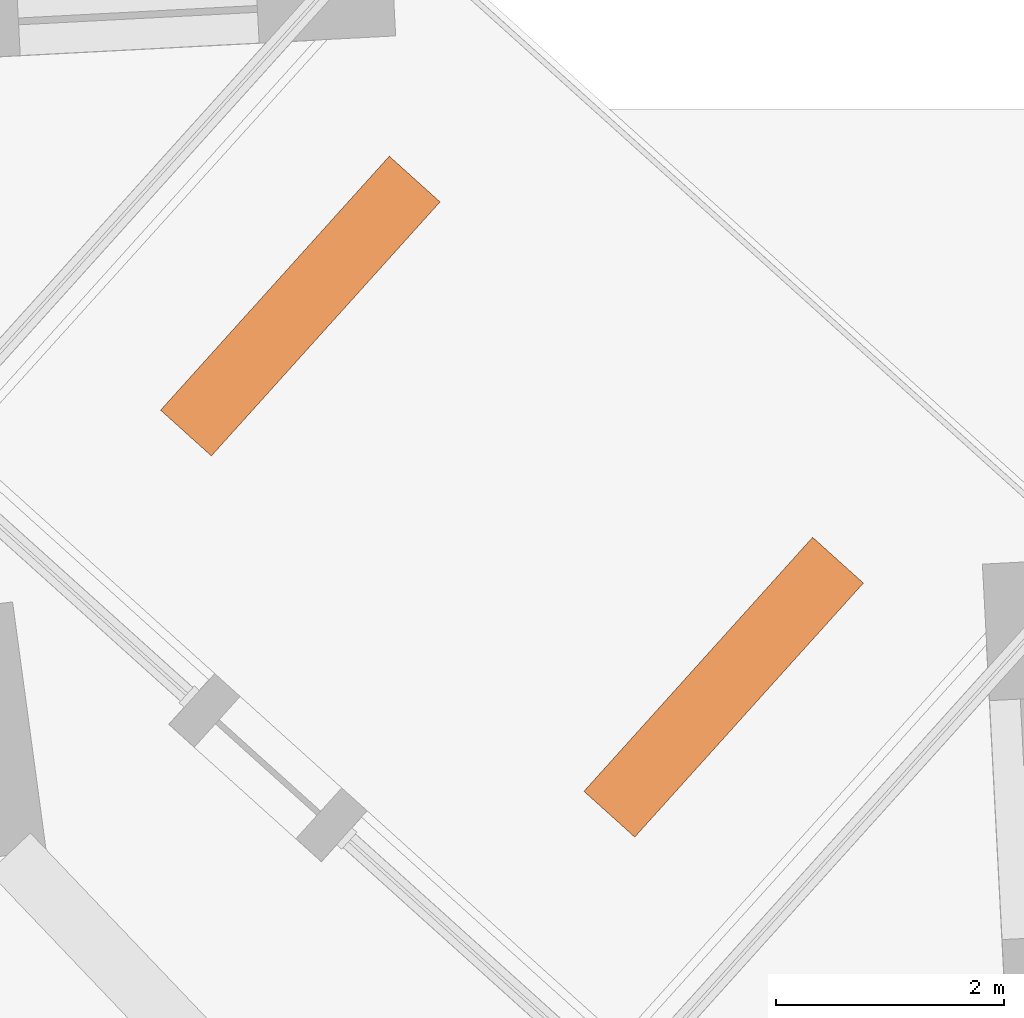
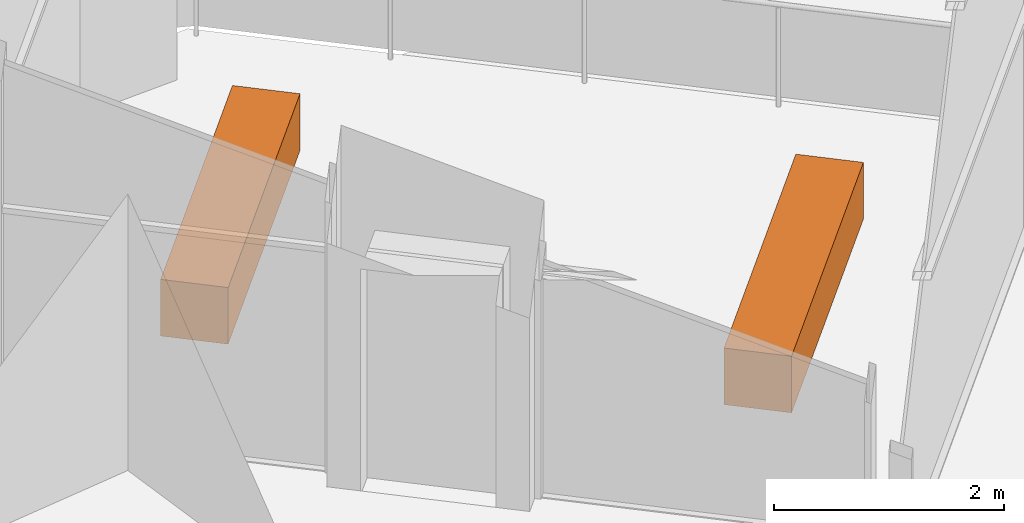
# One storey, part 10 of 10: 2 proxies.
"""IFC4 building model written with IfcOpenShell, lengths in metres."""

from ifc_helpers import new_model, si_unit, direction, frame, origin, origin_2d, place, context, subcontext, project, spatial, rectangle, extrude, element, save


model = new_model("IFC4")

# Units and contexts
model_context = context("Model", 3, precision=1e-05, world=origin(), true_north=direction((0.0, 1.0)))
body_context = subcontext(model_context, "Body", "Model", "MODEL_VIEW")
ifc_project = project(units=[si_unit("LENGTHUNIT", "METRE"), si_unit("AREAUNIT", "SQUARE_METRE"), si_unit("VOLUMEUNIT", "CUBIC_METRE"), si_unit("PLANEANGLEUNIT", "RADIAN"), si_unit("MASSUNIT", "GRAM", prefix="KILO")], contexts=[model_context])

# Site, building, storey
site_placement = place(None, origin())
site = spatial("IfcSite", under=ifc_project, at=site_placement, CompositionType="ELEMENT")
building_placement = place(site_placement, origin())
building = spatial("IfcBuilding", under=site, at=building_placement, Name="Dilmun Exchange Tower", CompositionType="ELEMENT")
storey_placement = place(building_placement, frame((0.0, 0.0, 22.5)))
storey = spatial("IfcBuildingStorey", under=building, at=storey_placement, Name="L05", CompositionType="ELEMENT", Elevation=22.5)

# Proxies
for number, where, z_axis, x_axis, name in (
    (1, (25.806640625, 24.925048828125, 0.0), (0.0, 0.0, 1.0), (0.669130606359, 0.743144825477, 0.0), "PLANTER Desert shrub L05.1"),
    (2, (22.0908203125, 28.2705078125, 0.0), (0.0, 0.0, 1.0), (0.669130606359, 0.743144825477, 0.0), "PLANTER Desert shrub L05.2"),
):
    element("IfcBuildingElementProxy", number, at=place(storey_placement, frame(where, z_axis=z_axis, x_axis=x_axis)), inside=storey, Name=name, ObjectType="PLANTER", PredefinedType="USERDEFINED", context=body_context, shape_type="SweptSolid", body=[
        extrude(rectangle(XDim=3.0, YDim=0.60009765625, at=origin_2d()), origin(), (0.0, 0.0, 1.0), 0.60009765625),
    ])

save(model, "model.ifc")
